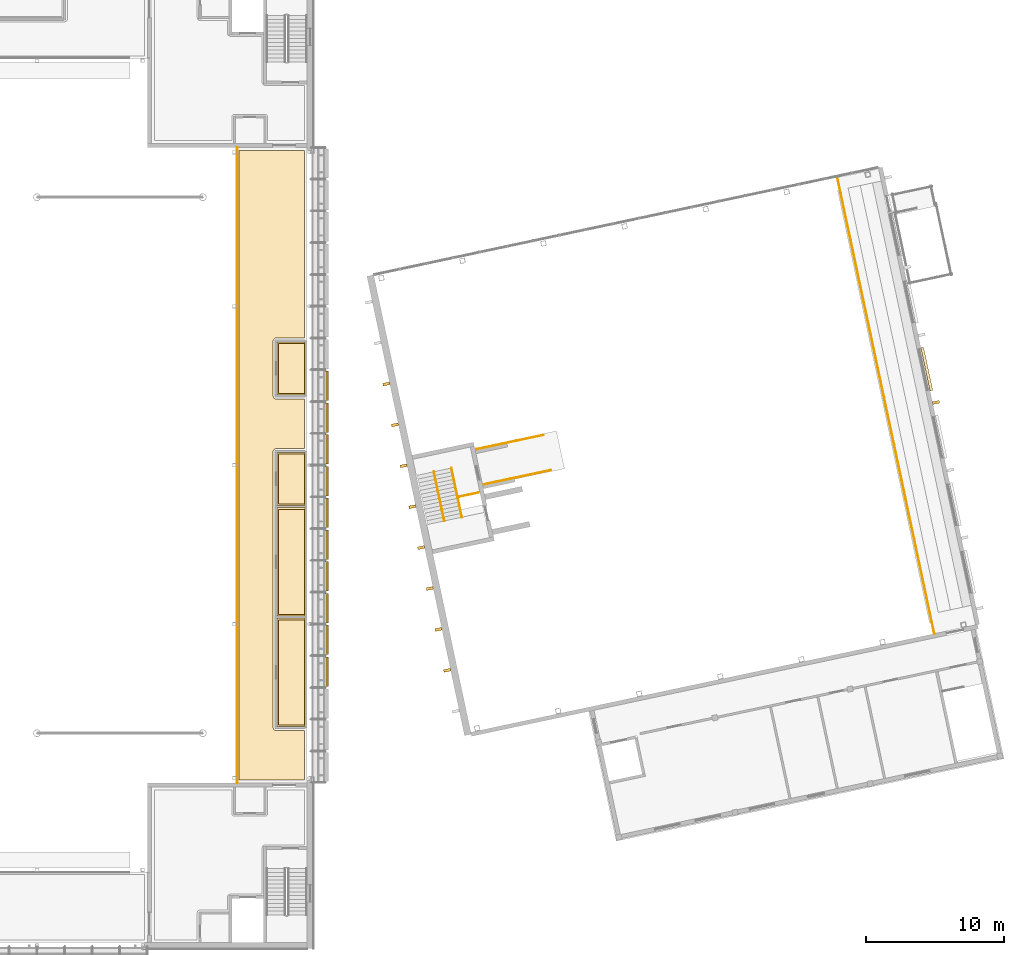
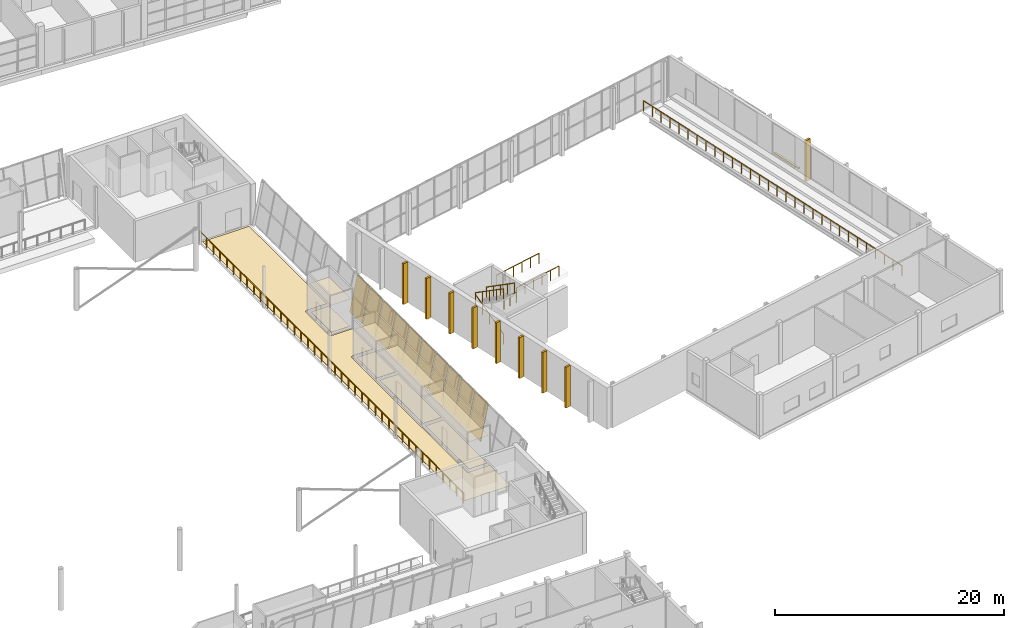
# One storey, part 109 of 115: 19 shading devices, 10 coverings, 8 railings.
"""IFC4 building model written with IfcOpenShell, lengths in metres."""

from ifc_helpers import new_model, si_unit, direction, frame, origin, origin_2d, place, context, subcontext, project, spatial, polyline, circle, outline, extrude, material, layer, layer_set, type_object, element, save


model = new_model("IFC4")

# Units and contexts
model_context = context("Model", 3, precision=1e-05, world=origin(), true_north=direction((0.0, 1.0)))
body_context = subcontext(model_context, "Body", "Model", "MODEL_VIEW")
ifc_project = project(units=[si_unit("LENGTHUNIT", "METRE"), si_unit("AREAUNIT", "SQUARE_METRE"), si_unit("VOLUMEUNIT", "CUBIC_METRE"), si_unit("PLANEANGLEUNIT", "RADIAN"), si_unit("MASSUNIT", "GRAM", prefix="KILO")], contexts=[model_context])

# Site, building, storey
site_placement = place(None, origin())
site = spatial("IfcSite", under=ifc_project, at=site_placement, CompositionType="ELEMENT")
building_placement = place(site_placement, origin())
building = spatial("IfcBuilding", under=site, at=building_placement, Name="Windward Yard Aquatics Centre", CompositionType="ELEMENT")
storey_placement = place(building_placement, frame((0.0, 0.0, 5.0)))
storey = spatial("IfcBuildingStorey", under=building, at=storey_placement, Name="L01", CompositionType="ELEMENT", Elevation=5.0)

# Railings
ifc_material_1 = material(Name="Stainless steel 1.4529", Category="steel")
railing_type_1 = type_object("IfcRailingType", Name="D platform guard 1100", PredefinedType="GUARDRAIL", material=ifc_material_1)
railing_1_placement = place(storey_placement, frame((164.3486328125, 59.609619140625, 2.5)))
element("IfcRailing", 1, at=railing_1_placement, inside=storey, type_object=railing_type_1, Name="D.R.PG3A", PredefinedType="GUARDRAIL", context=body_context, shape_type="SweptSolid", body=[
    extrude(circle(Radius=0.02392578125, at=origin_2d()), frame((0.0, 0.0, 1.076171875), z_axis=(0.978151830709, 0.207891789353, 0.0), x_axis=(-0.207891789353, 0.978151830709, 0.0)), (0.0, 0.0, 1.0), 4.949951171875),
    extrude(circle(Radius=0.02099609375, at=origin_2d()), origin(), (0.0, 0.0, 1.0), 1.052001953125),
    extrude(circle(Radius=0.02099609375, at=origin_2d()), frame((0.96826171875, 0.205810546875, 0.0)), (0.0, 0.0, 1.0), 1.052001953125),
    extrude(circle(Radius=0.02099609375, at=origin_2d()), frame((1.936767578125, 0.41162109375, 0.0)), (0.0, 0.0, 1.0), 1.052001953125),
    extrude(circle(Radius=0.02099609375, at=origin_2d()), frame((2.905029296875, 0.617431640625, 0.0)), (0.0, 0.0, 1.0), 1.052001953125),
    extrude(circle(Radius=0.02099609375, at=origin_2d()), frame((3.87353515625, 0.8232421875, 0.0)), (0.0, 0.0, 1.0), 1.052001953125),
    extrude(circle(Radius=0.02099609375, at=origin_2d()), frame((4.841796875, 1.029052734375, 0.0)), (0.0, 0.0, 1.0), 1.052001953125),
])
railing_2_placement = place(storey_placement, frame((163.80810546875, 62.152587890625, 2.5)))
element("IfcRailing", 2, at=railing_2_placement, inside=storey, type_object=railing_type_1, Name="D.R.PG3B", PredefinedType="GUARDRAIL", context=body_context, shape_type="SweptSolid", body=[
    extrude(circle(Radius=0.02392578125, at=origin_2d()), frame((0.0, 0.0, 1.076171875), z_axis=(0.978141800079, 0.207938978879, 0.0), x_axis=(-0.207938978879, 0.978141800079, 0.0)), (0.0, 0.0, 1.0), 4.949951171875),
    extrude(circle(Radius=0.02099609375, at=origin_2d()), origin(), (0.0, 0.0, 1.0), 1.052001953125),
    extrude(circle(Radius=0.02099609375, at=origin_2d()), frame((0.96826171875, 0.205810546875, 0.0)), (0.0, 0.0, 1.0), 1.052001953125),
    extrude(circle(Radius=0.02099609375, at=origin_2d()), frame((1.936767578125, 0.41162109375, 0.0)), (0.0, 0.0, 1.0), 1.052001953125),
    extrude(circle(Radius=0.02099609375, at=origin_2d()), frame((2.905029296875, 0.61767578125, 0.0)), (0.0, 0.0, 1.0), 1.052001953125),
    extrude(circle(Radius=0.02099609375, at=origin_2d()), frame((3.87353515625, 0.823486328125, 0.0)), (0.0, 0.0, 1.0), 1.052001953125),
    extrude(circle(Radius=0.02099609375, at=origin_2d()), frame((4.841796875, 1.029296875, 0.0)), (0.0, 0.0, 1.0), 1.052001953125),
])
railing_3_placement = place(storey_placement, frame((196.9580078125, 48.80322265625, 0.0)))
element("IfcRailing", 3, at=railing_3_placement, inside=storey, type_object=railing_type_1, Name="D.R.GG", PredefinedType="GUARDRAIL", context=body_context, shape_type="SweptSolid", body=[
    extrude(circle(Radius=0.02392578125, at=origin_2d()), frame((0.0, 0.0, 1.076171875), z_axis=(-0.207913866033, 0.978147138375, 0.0), x_axis=(-0.978147138375, -0.207913866033, 0.0)), (0.0, 0.0, 1.0), 33.75),
    extrude(circle(Radius=0.02099609375, at=origin_2d()), origin(), (0.0, 0.0, 1.0), 1.052001953125),
    extrude(circle(Radius=0.02099609375, at=origin_2d()), frame((-0.241943359375, 1.138427734375, 0.0)), (0.0, 0.0, 1.0), 1.052001953125),
    extrude(circle(Radius=0.02099609375, at=origin_2d()), frame((-0.48388671875, 2.276611328125, 0.0)), (0.0, 0.0, 1.0), 1.052001953125),
    extrude(circle(Radius=0.02099609375, at=origin_2d()), frame((-0.725830078125, 3.4150390625, 0.0)), (0.0, 0.0, 1.0), 1.052001953125),
    extrude(circle(Radius=0.02099609375, at=origin_2d()), frame((-0.9677734375, 4.553466796875, 0.0)), (0.0, 0.0, 1.0), 1.052001953125),
    extrude(circle(Radius=0.02099609375, at=origin_2d()), frame((-1.2099609375, 5.69189453125, 0.0)), (0.0, 0.0, 1.0), 1.052001953125),
    extrude(circle(Radius=0.02099609375, at=origin_2d()), frame((-1.451904296875, 6.830078125, 0.0)), (0.0, 0.0, 1.0), 1.052001953125),
    extrude(circle(Radius=0.02099609375, at=origin_2d()), frame((-1.69384765625, 7.968505859375, 0.0)), (0.0, 0.0, 1.0), 1.052001953125),
    extrude(circle(Radius=0.02099609375, at=origin_2d()), frame((-1.935791015625, 9.10693359375, 0.0)), (0.0, 0.0, 1.0), 1.052001953125),
    extrude(circle(Radius=0.02099609375, at=origin_2d()), frame((-2.177734375, 10.245361328125, 0.0)), (0.0, 0.0, 1.0), 1.052001953125),
    extrude(circle(Radius=0.02099609375, at=origin_2d()), frame((-2.419677734375, 11.383544921875, 0.0)), (0.0, 0.0, 1.0), 1.052001953125),
    extrude(circle(Radius=0.02099609375, at=origin_2d()), frame((-2.66162109375, 12.52197265625, 0.0)), (0.0, 0.0, 1.0), 1.052001953125),
    extrude(circle(Radius=0.02099609375, at=origin_2d()), frame((-2.903564453125, 13.660400390625, 0.0)), (0.0, 0.0, 1.0), 1.052001953125),
    extrude(circle(Radius=0.02099609375, at=origin_2d()), frame((-3.1455078125, 14.798583984375, 0.0)), (0.0, 0.0, 1.0), 1.052001953125),
    extrude(circle(Radius=0.02099609375, at=origin_2d()), frame((-3.387451171875, 15.93701171875, 0.0)), (0.0, 0.0, 1.0), 1.052001953125),
    extrude(circle(Radius=0.02099609375, at=origin_2d()), frame((-3.629638671875, 17.075439453125, 0.0)), (0.0, 0.0, 1.0), 1.052001953125),
    extrude(circle(Radius=0.02099609375, at=origin_2d()), frame((-3.87158203125, 18.2138671875, 0.0)), (0.0, 0.0, 1.0), 1.052001953125),
    extrude(circle(Radius=0.02099609375, at=origin_2d()), frame((-4.113525390625, 19.35205078125, 0.0)), (0.0, 0.0, 1.0), 1.052001953125),
    extrude(circle(Radius=0.02099609375, at=origin_2d()), frame((-4.35546875, 20.490478515625, 0.0)), (0.0, 0.0, 1.0), 1.052001953125),
    extrude(circle(Radius=0.02099609375, at=origin_2d()), frame((-4.597412109375, 21.62890625, 0.0)), (0.0, 0.0, 1.0), 1.052001953125),
    extrude(circle(Radius=0.02099609375, at=origin_2d()), frame((-4.83935546875, 22.76708984375, 0.0)), (0.0, 0.0, 1.0), 1.052001953125),
    extrude(circle(Radius=0.02099609375, at=origin_2d()), frame((-5.081298828125, 23.905517578125, 0.0)), (0.0, 0.0, 1.0), 1.052001953125),
    extrude(circle(Radius=0.02099609375, at=origin_2d()), frame((-5.3232421875, 25.0439453125, 0.0)), (0.0, 0.0, 1.0), 1.052001953125),
    extrude(circle(Radius=0.02099609375, at=origin_2d()), frame((-5.565185546875, 26.182373046875, 0.0)), (0.0, 0.0, 1.0), 1.052001953125),
    extrude(circle(Radius=0.02099609375, at=origin_2d()), frame((-5.80712890625, 27.320556640625, 0.0)), (0.0, 0.0, 1.0), 1.052001953125),
    extrude(circle(Radius=0.02099609375, at=origin_2d()), frame((-6.04931640625, 28.458984375, 0.0)), (0.0, 0.0, 1.0), 1.052001953125),
    extrude(circle(Radius=0.02099609375, at=origin_2d()), frame((-6.291259765625, 29.597412109375, 0.0)), (0.0, 0.0, 1.0), 1.052001953125),
    extrude(circle(Radius=0.02099609375, at=origin_2d()), frame((-6.533203125, 30.73583984375, 0.0)), (0.0, 0.0, 1.0), 1.052001953125),
    extrude(circle(Radius=0.02099609375, at=origin_2d()), frame((-6.775146484375, 31.8740234375, 0.0)), (0.0, 0.0, 1.0), 1.052001953125),
    extrude(circle(Radius=0.02099609375, at=origin_2d()), frame((-7.01708984375, 33.012451171875, 0.0)), (0.0, 0.0, 1.0), 1.052001953125),
])
railing_type_2 = type_object("IfcRailingType", Name="D tower stair guard", PredefinedType="GUARDRAIL", material=ifc_material_1)
railing_4_placement = place(storey_placement, frame((161.485595703125, 56.966552734375, 0.178466796875)))
element("IfcRailing", 4, at=railing_4_placement, inside=storey, type_object=railing_type_2, Name="D.R.TW3.G1", PredefinedType="GUARDRAIL", context=body_context, shape_type="SweptSolid", body=[
    extrude(circle(Radius=0.02392578125, at=origin_2d()), frame((0.0, 0.0, 1.076171875), z_axis=(-0.175252988892, 0.824690008716, 0.537747877177), x_axis=(-0.978157316656, -0.207865975747, 0.0)), (0.0, 0.0, 1.0), 4.317138671875),
    extrude(circle(Radius=0.02099609375, at=origin_2d()), origin(), (0.0, 0.0, 1.0), 1.052001953125),
    extrude(circle(Radius=0.02099609375, at=origin_2d()), frame((-0.189208984375, 0.89013671875, 0.580322265625)), (0.0, 0.0, 1.0), 1.052001953125),
    extrude(circle(Radius=0.02099609375, at=origin_2d()), frame((-0.37841796875, 1.7802734375, 1.16064453125)), (0.0, 0.0, 1.0), 1.052001953125),
    extrude(circle(Radius=0.02099609375, at=origin_2d()), frame((-0.5673828125, 2.670166015625, 1.7412109375)), (0.0, 0.0, 1.0), 1.052001953125),
    extrude(circle(Radius=0.02099609375, at=origin_2d()), frame((-0.756591796875, 3.560302734375, 2.321533203125)), (0.0, 0.0, 1.0), 1.052001953125),
])
for number, where, name in (
    (5, (160.72900390625, 60.52685546875, 2.678466796875), "D.R.TW4.G1"),
    (6, (162.00048828125, 60.797119140625, 2.678466796875), "D.R.TW4.G2"),
):
    element("IfcRailing", number, at=place(storey_placement, frame(where)), inside=storey, type_object=railing_type_2, Name=name, PredefinedType="GUARDRAIL", context=body_context, shape_type="SweptSolid", body=[
        extrude(circle(Radius=0.02392578125, at=origin_2d()), frame((0.0, 0.0, 1.076171875), z_axis=(0.175252988892, -0.824690008716, 0.537747877177), x_axis=(0.978157316656, 0.207865975747, 0.0)), (0.0, 0.0, 1.0), 4.317138671875),
        extrude(circle(Radius=0.02099609375, at=origin_2d()), origin(), (0.0, 0.0, 1.0), 1.052001953125),
        extrude(circle(Radius=0.02099609375, at=origin_2d()), frame((0.189208984375, -0.89013671875, 0.580322265625)), (0.0, 0.0, 1.0), 1.052001953125),
        extrude(circle(Radius=0.02099609375, at=origin_2d()), frame((0.37841796875, -1.7802734375, 1.16064453125)), (0.0, 0.0, 1.0), 1.052001953125),
        extrude(circle(Radius=0.02099609375, at=origin_2d()), frame((0.5673828125, -2.670166015625, 1.7412109375)), (0.0, 0.0, 1.0), 1.052001953125),
        extrude(circle(Radius=0.02099609375, at=origin_2d()), frame((0.756591796875, -3.560302734375, 2.321533203125)), (0.0, 0.0, 1.0), 1.052001953125),
    ])
railing_5_placement = place(storey_placement, frame((162.54541015625, 58.715087890625, 2.5)))
element("IfcRailing", 7, at=railing_5_placement, inside=storey, type_object=railing_type_2, Name="D.R.TW.N7.1", PredefinedType="GUARDRAIL", context=body_context, shape_type="SweptSolid", body=[
    extrude(circle(Radius=0.02392578125, at=origin_2d()), frame((0.0, 0.0, 1.076171875), z_axis=(0.978138732977, 0.207953405961, 0.0), x_axis=(-0.207953405961, 0.978138732977, 0.0)), (0.0, 0.0, 1.0), 1.449951171875),
    extrude(circle(Radius=0.02099609375, at=origin_2d()), origin(), (0.0, 0.0, 1.0), 1.052001953125),
    extrude(circle(Radius=0.02099609375, at=origin_2d()), frame((0.708984375, 0.15087890625, 0.0)), (0.0, 0.0, 1.0), 1.052001953125),
    extrude(circle(Radius=0.02099609375, at=origin_2d()), frame((1.418212890625, 0.301513671875, 0.0)), (0.0, 0.0, 1.0), 1.052001953125),
])

# Shading devices
ifc_material_2 = material(Name="Aluminium fin, powder coated", Category="aluminium")
shading_device_type_1 = type_object("IfcShadingDeviceType", Name="D vertical fin 200x500", PredefinedType="USERDEFINED", material=ifc_material_2)
shading_device_1_placement = place(storey_placement, origin())
element("IfcShadingDevice", 8, at=shading_device_1_placement, inside=storey, type_object=shading_device_type_1, Name="Vertical fin D.W.E.L01.4.1", ObjectType="FIN", PredefinedType="USERDEFINED", context=body_context, shape_type="SweptSolid", body=[
    extrude(outline(polyline([(196.814697265625, 65.590087890625), (197.3037109375, 65.694091796875), (197.34521484375, 65.49853515625), (196.856201171875, 65.39453125), (196.814697265625, 65.590087890625)])), origin(), (0.0, 0.0, 1.0), 4.35009765625),
])
shading_device_2_placement = place(storey_placement, origin())
element("IfcShadingDevice", 9, at=shading_device_2_placement, inside=storey, type_object=shading_device_type_1, Name="Vertical fin D.W.W.L01.1.2", ObjectType="FIN", PredefinedType="USERDEFINED", context=body_context, shape_type="SweptSolid", body=[
    extrude(outline(polyline([(161.4228515625, 46.198974609375), (161.464599609375, 46.00341796875), (161.95361328125, 46.107421875), (161.912109375, 46.302978515625), (161.4228515625, 46.198974609375)])), origin(), (0.0, 0.0, 1.0), 4.35009765625),
])
shading_device_3_placement = place(storey_placement, origin())
element("IfcShadingDevice", 10, at=shading_device_3_placement, inside=storey, type_object=shading_device_type_1, Name="Vertical fin D.W.W.L01.1.3", ObjectType="FIN", PredefinedType="USERDEFINED", context=body_context, shape_type="SweptSolid", body=[
    extrude(outline(polyline([(160.79345703125, 49.16015625), (160.835205078125, 48.964599609375), (161.32421875, 49.068603515625), (161.28271484375, 49.26416015625), (160.79345703125, 49.16015625)])), origin(), (0.0, 0.0, 1.0), 4.35009765625),
])
shading_device_4_placement = place(storey_placement, origin())
element("IfcShadingDevice", 11, at=shading_device_4_placement, inside=storey, type_object=shading_device_type_1, Name="Vertical fin D.W.W.L01.1.4", ObjectType="FIN", PredefinedType="USERDEFINED", context=body_context, shape_type="SweptSolid", body=[
    extrude(outline(polyline([(160.1640625, 52.121337890625), (160.205810546875, 51.925537109375), (160.69482421875, 52.029541015625), (160.6533203125, 52.22509765625), (160.1640625, 52.121337890625)])), origin(), (0.0, 0.0, 1.0), 4.35009765625),
])
shading_device_5_placement = place(storey_placement, origin())
element("IfcShadingDevice", 12, at=shading_device_5_placement, inside=storey, type_object=shading_device_type_1, Name="Vertical fin D.W.W.L01.1.5", ObjectType="FIN", PredefinedType="USERDEFINED", context=body_context, shape_type="SweptSolid", body=[
    extrude(outline(polyline([(159.53466796875, 55.08251953125), (159.576416015625, 54.88671875), (160.0654296875, 54.99072265625), (160.023681640625, 55.186279296875), (159.53466796875, 55.08251953125)])), origin(), (0.0, 0.0, 1.0), 4.35009765625),
])
shading_device_6_placement = place(storey_placement, origin())
element("IfcShadingDevice", 13, at=shading_device_6_placement, inside=storey, type_object=shading_device_type_1, Name="Vertical fin D.W.W.L01.1.6", ObjectType="FIN", PredefinedType="USERDEFINED", context=body_context, shape_type="SweptSolid", body=[
    extrude(outline(polyline([(158.9052734375, 58.04345703125), (158.947021484375, 57.847900390625), (159.43603515625, 57.951904296875), (159.394287109375, 58.1474609375), (158.9052734375, 58.04345703125)])), origin(), (0.0, 0.0, 1.0), 4.35009765625),
])
shading_device_7_placement = place(storey_placement, origin())
element("IfcShadingDevice", 14, at=shading_device_7_placement, inside=storey, type_object=shading_device_type_1, Name="Vertical fin D.W.W.L01.1.7", ObjectType="FIN", PredefinedType="USERDEFINED", context=body_context, shape_type="SweptSolid", body=[
    extrude(outline(polyline([(158.27587890625, 61.004638671875), (158.3173828125, 60.80908203125), (158.806396484375, 60.9130859375), (158.764892578125, 61.108642578125), (158.27587890625, 61.004638671875)])), origin(), (0.0, 0.0, 1.0), 4.35009765625),
])
shading_device_8_placement = place(storey_placement, origin())
element("IfcShadingDevice", 15, at=shading_device_8_placement, inside=storey, type_object=shading_device_type_1, Name="Vertical fin D.W.W.L01.1.8", ObjectType="FIN", PredefinedType="USERDEFINED", context=body_context, shape_type="SweptSolid", body=[
    extrude(outline(polyline([(157.646484375, 63.9658203125), (157.68798828125, 63.770263671875), (158.177001953125, 63.8740234375), (158.135498046875, 64.069580078125), (157.646484375, 63.9658203125)])), origin(), (0.0, 0.0, 1.0), 4.35009765625),
])
shading_device_9_placement = place(storey_placement, origin())
element("IfcShadingDevice", 16, at=shading_device_9_placement, inside=storey, type_object=shading_device_type_1, Name="Vertical fin D.W.W.L01.1.9", ObjectType="FIN", PredefinedType="USERDEFINED", context=body_context, shape_type="SweptSolid", body=[
    extrude(outline(polyline([(157.01708984375, 66.927001953125), (157.05859375, 66.731201171875), (157.547607421875, 66.835205078125), (157.506103515625, 67.031005859375), (157.01708984375, 66.927001953125)])), origin(), (0.0, 0.0, 1.0), 4.35009765625),
])

# Coverings
ifc_material_3 = material(Name="Limestone sill", Category="masonry")
ifc_layer_1 = layer(ifc_material_3, 0.080078125)
ifc_layer_set_1 = layer_set([ifc_layer_1], Name="D window sill stone 3200x200")
covering_type_1 = type_object("IfcCoveringType", Name="D window sill stone 3200x200", PredefinedType="CLADDING", material=ifc_layer_set_1)
covering_1_placement = place(storey_placement, frame((0.0, 0.0, 0.820068359375)))
element("IfcCovering", 17, at=covering_1_placement, inside=storey, type_object=covering_type_1, Name="Window sill DW1004", PredefinedType="CLADDING", context=body_context, shape_type="SweptSolid", body=[
    extrude(outline(polyline([(195.98291015625, 69.502685546875), (196.1787109375, 69.54443359375), (196.843994140625, 66.414306640625), (196.648193359375, 66.372802734375), (195.98291015625, 69.502685546875)])), origin(), (0.0, 0.0, 1.0), 0.079833984375),
])
ifc_material_4 = material(Name="Polished screed")
ifc_layer_2 = layer(ifc_material_4, 0.0400390625)
ifc_layer_set_2 = layer_set([ifc_layer_2], Name="H Floor Finish Screed 40")
covering_type_2 = type_object("IfcCoveringType", Name="H Floor Finish Screed 40", PredefinedType="FLOORING", material=ifc_layer_set_2)
covering_2_placement = place(storey_placement, origin())
element("IfcCovering", 18, at=covering_2_placement, inside=storey, type_object=covering_type_2, Name="Cleaner's Store floor finish", PredefinedType="FLOORING", context=body_context, shape_type="SweptSolid", body=[
    extrude(outline(polyline([(149.5, 66.199951171875), (149.5, 69.800048828125), (151.35009765625, 69.800048828125), (151.35009765625, 66.199951171875), (149.5, 66.199951171875)])), origin(), (0.0, 0.0, 1.0), 0.02001953125),
])
covering_3_placement = place(storey_placement, origin())
element("IfcCovering", 19, at=covering_3_placement, inside=storey, type_object=covering_type_2, Name="Gable Concourse East floor finish", PredefinedType="FLOORING", context=body_context, shape_type="SweptSolid", body=[
    extrude(outline(polyline([(146.640380859375, 38.199951171875), (146.640380859375, 83.800048828125), (151.35009765625, 83.800048828125), (151.35009765625, 70.199951171875), (149.280517578125, 70.198974609375), (149.241943359375, 70.19140625), (149.223388671875, 70.184814453125), (149.18896484375, 70.166259765625), (149.15869140625, 70.141357421875), (149.1337890625, 70.111083984375), (149.115234375, 70.076416015625), (149.103759765625, 70.0390625), (149.10009765625, 70.0), (149.10009765625, 66.0), (149.10107421875, 65.98046875), (149.108642578125, 65.94189453125), (149.12353515625, 65.90576171875), (149.1337890625, 65.888916015625), (149.15869140625, 65.858642578125), (149.18896484375, 65.833740234375), (149.223388671875, 65.815185546875), (149.241943359375, 65.80859375), (149.280517578125, 65.801025390625), (149.300048828125, 65.800048828125), (151.35009765625, 65.800048828125), (151.35009765625, 62.199951171875), (149.280517578125, 62.198974609375), (149.241943359375, 62.19140625), (149.223388671875, 62.184814453125), (149.18896484375, 62.166259765625), (149.15869140625, 62.141357421875), (149.1337890625, 62.111083984375), (149.115234375, 62.076416015625), (149.108642578125, 62.05810546875), (149.10107421875, 62.01953125), (149.10107421875, 41.98046875), (149.108642578125, 41.94189453125), (149.115234375, 41.923583984375), (149.1337890625, 41.888916015625), (149.15869140625, 41.858642578125), (149.18896484375, 41.833740234375), (149.223388671875, 41.815185546875), (149.241943359375, 41.80859375), (149.280517578125, 41.801025390625), (151.35009765625, 41.800048828125), (151.35009765625, 38.199951171875), (146.640380859375, 38.199951171875)])), origin(), (0.0, 0.0, 1.0), 0.02001953125),
])
ifc_material_5 = material(Name="Ceramic tile")
ifc_layer_3 = layer(ifc_material_5, 0.02001953125)
ifc_layer_set_3 = layer_set([ifc_layer_3], Name="H Floor Finish Tile 20")
covering_type_3 = type_object("IfcCoveringType", Name="H Floor Finish Tile 20", PredefinedType="FLOORING", material=ifc_layer_set_3)
covering_4_placement = place(storey_placement, origin())
element("IfcCovering", 20, at=covering_4_placement, inside=storey, type_object=covering_type_3, Name="Spectator WC Men floor finish", PredefinedType="FLOORING", context=body_context, shape_type="SweptSolid", body=[
    extrude(outline(polyline([(149.5, 42.199951171875), (149.5, 49.800048828125), (151.35009765625, 49.800048828125), (151.35009765625, 42.199951171875), (149.5, 42.199951171875)])), origin(), (0.0, 0.0, 1.0), 0.02001953125),
])
covering_5_placement = place(storey_placement, origin())
element("IfcCovering", 21, at=covering_5_placement, inside=storey, type_object=covering_type_3, Name="Spectator WC Women floor finish", PredefinedType="FLOORING", context=body_context, shape_type="SweptSolid", body=[
    extrude(outline(polyline([(149.5, 50.199951171875), (149.5, 57.800048828125), (151.35009765625, 57.800048828125), (151.35009765625, 50.199951171875), (149.5, 50.199951171875)])), origin(), (0.0, 0.0, 1.0), 0.02001953125),
])
covering_6_placement = place(storey_placement, origin())
element("IfcCovering", 22, at=covering_6_placement, inside=storey, type_object=covering_type_3, Name="Accessible WC floor finish", PredefinedType="FLOORING", context=body_context, shape_type="SweptSolid", body=[
    extrude(outline(polyline([(149.5, 58.199951171875), (149.5, 61.800048828125), (151.35009765625, 61.800048828125), (151.35009765625, 58.199951171875), (149.5, 58.199951171875)])), origin(), (0.0, 0.0, 1.0), 0.02001953125),
])

# Railing
railing_type_3 = type_object("IfcRailingType", Name="H Guard Steel 1100", PredefinedType="GUARDRAIL", material=ifc_material_1)
railing_6_placement = place(storey_placement, frame((146.490478515625, 38.0, 0.0)))
element("IfcRailing", 23, at=railing_6_placement, inside=storey, type_object=railing_type_3, Name="Gable concourse edge guard E", PredefinedType="GUARDRAIL", context=body_context, shape_type="SweptSolid", body=[
    extrude(circle(Radius=0.02392578125, at=origin_2d()), frame((0.0, 0.0, 1.076171875), z_axis=(0.0, 1.0, 0.0), x_axis=(-1.0, 0.0, 0.0)), (0.0, 0.0, 1.0), 46.0),
    extrude(circle(Radius=0.02099609375, at=origin_2d()), origin(), (0.0, 0.0, 1.0), 1.052001953125),
    extrude(circle(Radius=0.02099609375, at=origin_2d()), frame((0.0, 1.179443359375, 0.0)), (0.0, 0.0, 1.0), 1.052001953125),
    extrude(circle(Radius=0.02099609375, at=origin_2d()), frame((0.0, 2.35888671875, 0.0)), (0.0, 0.0, 1.0), 1.052001953125),
    extrude(circle(Radius=0.02099609375, at=origin_2d()), frame((0.0, 3.53857421875, 0.0)), (0.0, 0.0, 1.0), 1.052001953125),
    extrude(circle(Radius=0.02099609375, at=origin_2d()), frame((0.0, 4.718017578125, 0.0)), (0.0, 0.0, 1.0), 1.052001953125),
    extrude(circle(Radius=0.02099609375, at=origin_2d()), frame((0.0, 5.8974609375, 0.0)), (0.0, 0.0, 1.0), 1.052001953125),
    extrude(circle(Radius=0.02099609375, at=origin_2d()), frame((0.0, 7.076904296875, 0.0)), (0.0, 0.0, 1.0), 1.052001953125),
    extrude(circle(Radius=0.02099609375, at=origin_2d()), frame((0.0, 8.25634765625, 0.0)), (0.0, 0.0, 1.0), 1.052001953125),
    extrude(circle(Radius=0.02099609375, at=origin_2d()), frame((0.0, 9.435791015625, 0.0)), (0.0, 0.0, 1.0), 1.052001953125),
    extrude(circle(Radius=0.02099609375, at=origin_2d()), frame((0.0, 10.615478515625, 0.0)), (0.0, 0.0, 1.0), 1.052001953125),
    extrude(circle(Radius=0.02099609375, at=origin_2d()), frame((0.0, 11.794921875, 0.0)), (0.0, 0.0, 1.0), 1.052001953125),
    extrude(circle(Radius=0.02099609375, at=origin_2d()), frame((0.0, 12.974365234375, 0.0)), (0.0, 0.0, 1.0), 1.052001953125),
    extrude(circle(Radius=0.02099609375, at=origin_2d()), frame((0.0, 14.15380859375, 0.0)), (0.0, 0.0, 1.0), 1.052001953125),
    extrude(circle(Radius=0.02099609375, at=origin_2d()), frame((0.0, 15.333251953125, 0.0)), (0.0, 0.0, 1.0), 1.052001953125),
    extrude(circle(Radius=0.02099609375, at=origin_2d()), frame((0.0, 16.512939453125, 0.0)), (0.0, 0.0, 1.0), 1.052001953125),
    extrude(circle(Radius=0.02099609375, at=origin_2d()), frame((0.0, 17.6923828125, 0.0)), (0.0, 0.0, 1.0), 1.052001953125),
    extrude(circle(Radius=0.02099609375, at=origin_2d()), frame((0.0, 18.871826171875, 0.0)), (0.0, 0.0, 1.0), 1.052001953125),
    extrude(circle(Radius=0.02099609375, at=origin_2d()), frame((0.0, 20.05126953125, 0.0)), (0.0, 0.0, 1.0), 1.052001953125),
    extrude(circle(Radius=0.02099609375, at=origin_2d()), frame((0.0, 21.230712890625, 0.0)), (0.0, 0.0, 1.0), 1.052001953125),
    extrude(circle(Radius=0.02099609375, at=origin_2d()), frame((0.0, 22.41015625, 0.0)), (0.0, 0.0, 1.0), 1.052001953125),
    extrude(circle(Radius=0.02099609375, at=origin_2d()), frame((0.0, 23.58984375, 0.0)), (0.0, 0.0, 1.0), 1.052001953125),
    extrude(circle(Radius=0.02099609375, at=origin_2d()), frame((0.0, 24.769287109375, 0.0)), (0.0, 0.0, 1.0), 1.052001953125),
    extrude(circle(Radius=0.02099609375, at=origin_2d()), frame((0.0, 25.94873046875, 0.0)), (0.0, 0.0, 1.0), 1.052001953125),
    extrude(circle(Radius=0.02099609375, at=origin_2d()), frame((0.0, 27.128173828125, 0.0)), (0.0, 0.0, 1.0), 1.052001953125),
    extrude(circle(Radius=0.02099609375, at=origin_2d()), frame((0.0, 28.3076171875, 0.0)), (0.0, 0.0, 1.0), 1.052001953125),
    extrude(circle(Radius=0.02099609375, at=origin_2d()), frame((0.0, 29.487060546875, 0.0)), (0.0, 0.0, 1.0), 1.052001953125),
    extrude(circle(Radius=0.02099609375, at=origin_2d()), frame((0.0, 30.666748046875, 0.0)), (0.0, 0.0, 1.0), 1.052001953125),
    extrude(circle(Radius=0.02099609375, at=origin_2d()), frame((0.0, 31.84619140625, 0.0)), (0.0, 0.0, 1.0), 1.052001953125),
    extrude(circle(Radius=0.02099609375, at=origin_2d()), frame((0.0, 33.025634765625, 0.0)), (0.0, 0.0, 1.0), 1.052001953125),
    extrude(circle(Radius=0.02099609375, at=origin_2d()), frame((0.0, 34.205078125, 0.0)), (0.0, 0.0, 1.0), 1.052001953125),
    extrude(circle(Radius=0.02099609375, at=origin_2d()), frame((0.0, 35.384521484375, 0.0)), (0.0, 0.0, 1.0), 1.052001953125),
    extrude(circle(Radius=0.02099609375, at=origin_2d()), frame((0.0, 36.564208984375, 0.0)), (0.0, 0.0, 1.0), 1.052001953125),
    extrude(circle(Radius=0.02099609375, at=origin_2d()), frame((0.0, 37.74365234375, 0.0)), (0.0, 0.0, 1.0), 1.052001953125),
    extrude(circle(Radius=0.02099609375, at=origin_2d()), frame((0.0, 38.923095703125, 0.0)), (0.0, 0.0, 1.0), 1.052001953125),
    extrude(circle(Radius=0.02099609375, at=origin_2d()), frame((0.0, 40.1025390625, 0.0)), (0.0, 0.0, 1.0), 1.052001953125),
    extrude(circle(Radius=0.02099609375, at=origin_2d()), frame((0.0, 41.281982421875, 0.0)), (0.0, 0.0, 1.0), 1.052001953125),
    extrude(circle(Radius=0.02099609375, at=origin_2d()), frame((0.0, 42.46142578125, 0.0)), (0.0, 0.0, 1.0), 1.052001953125),
    extrude(circle(Radius=0.02099609375, at=origin_2d()), frame((0.0, 43.64111328125, 0.0)), (0.0, 0.0, 1.0), 1.052001953125),
    extrude(circle(Radius=0.02099609375, at=origin_2d()), frame((0.0, 44.820556640625, 0.0)), (0.0, 0.0, 1.0), 1.052001953125),
    extrude(circle(Radius=0.02099609375, at=origin_2d()), frame((0.0, 46.0, 0.0)), (0.0, 0.0, 1.0), 1.052001953125),
])

# Coverings
ifc_material_6 = material(Name="Aluminium plank", Category="aluminium")
ifc_layer_4 = layer(ifc_material_6, 0.02001953125)
ifc_layer_set_4 = layer_set([ifc_layer_4], Name="H Moisture Resistant Ceiling")
covering_type_4 = type_object("IfcCoveringType", Name="H Moisture Resistant Ceiling", PredefinedType="CEILING", material=ifc_layer_set_4)
covering_7_placement = place(storey_placement, frame((0.0, 0.0, 3.0)))
element("IfcCovering", 24, at=covering_7_placement, inside=storey, type_object=covering_type_4, Name="Spectator WC Men ceiling", PredefinedType="CEILING", context=body_context, shape_type="SweptSolid", body=[
    extrude(outline(polyline([(149.37548828125, 42.075439453125), (149.37548828125, 49.924560546875), (151.3994140625, 49.924560546875), (151.3994140625, 42.075439453125), (149.37548828125, 42.075439453125)])), origin(), (0.0, 0.0, 1.0), 0.02001953125),
])
covering_8_placement = place(storey_placement, frame((0.0, 0.0, 3.0)))
element("IfcCovering", 25, at=covering_8_placement, inside=storey, type_object=covering_type_4, Name="Spectator WC Women ceiling", PredefinedType="CEILING", context=body_context, shape_type="SweptSolid", body=[
    extrude(outline(polyline([(149.37548828125, 50.075439453125), (149.37548828125, 57.924560546875), (151.3994140625, 57.924560546875), (151.3994140625, 50.075439453125), (149.37548828125, 50.075439453125)])), origin(), (0.0, 0.0, 1.0), 0.02001953125),
])
covering_9_placement = place(storey_placement, frame((0.0, 0.0, 3.0)))
element("IfcCovering", 26, at=covering_9_placement, inside=storey, type_object=covering_type_4, Name="Accessible WC ceiling", PredefinedType="CEILING", context=body_context, shape_type="SweptSolid", body=[
    extrude(outline(polyline([(149.37548828125, 58.075439453125), (149.37548828125, 61.924560546875), (151.3994140625, 61.924560546875), (151.3994140625, 58.075439453125), (149.37548828125, 58.075439453125)])), origin(), (0.0, 0.0, 1.0), 0.02001953125),
])
ifc_material_7 = material(Name="Mineral fibre tile")
ifc_layer_5 = layer(ifc_material_7, 0.02001953125)
ifc_layer_set_5 = layer_set([ifc_layer_5], Name="H Suspended Ceiling 600 x 600")
covering_type_5 = type_object("IfcCoveringType", Name="H Suspended Ceiling 600 x 600", PredefinedType="CEILING", material=ifc_layer_set_5)
covering_10_placement = place(storey_placement, frame((0.0, 0.0, 3.0)))
element("IfcCovering", 27, at=covering_10_placement, inside=storey, type_object=covering_type_5, Name="Cleaner's Store ceiling", PredefinedType="CEILING", context=body_context, shape_type="SweptSolid", body=[
    extrude(outline(polyline([(149.37548828125, 66.075439453125), (149.37548828125, 69.924560546875), (151.3994140625, 69.924560546875), (151.3994140625, 66.075439453125), (149.37548828125, 66.075439453125)])), origin(), (0.0, 0.0, 1.0), 0.02001953125),
])

# Shading devices
ifc_material_8 = material(Name="Aluminium extruded louvre blades, powder coated", Category="aluminium")
ifc_layer_6 = layer(ifc_material_8, 0.080078125)
ifc_layer_set_6 = layer_set([ifc_layer_6], Name="H storm louvre shutter 2103x3790")
shading_device_type_2 = type_object("IfcShadingDeviceType", Name="H storm louvre shutter 2103x3790", PredefinedType="SHUTTER", material=ifc_layer_set_6)
for number, where, z_axis, x_axis, name in (
    (28, (152.2548828125, 44.982421875, 0.28662109375), (-0.979926212575, 0.0, 0.199360522443), (0.0, 1.0, 0.0), "Storm louvre E L01 A4"),
    (29, (152.2548828125, 47.282470703125, 0.28662109375), (-0.979926212575, 0.0, 0.199360522443), (0.0, 1.0, 0.0), "Storm louvre E L01 A5"),
    (30, (152.2548828125, 49.58251953125, 0.28662109375), (-0.979926212575, 0.0, 0.199360522443), (0.0, 1.0, 0.0), "Storm louvre E L01 A6"),
    (31, (152.2548828125, 51.882568359375, 0.28662109375), (-0.979926212575, 0.0, 0.199360522443), (0.0, 1.0, 0.0), "Storm louvre E L01 A7"),
):
    element("IfcShadingDevice", number, at=place(storey_placement, frame(where, z_axis=z_axis, x_axis=x_axis)), inside=storey, type_object=shading_device_type_2, Name=name, PredefinedType="SHUTTER", context=body_context, shape_type="SweptSolid", body=[
        extrude(outline(polyline([(0.0, 0.0), (2.13501, 0.0), (2.13501, -3.790195), (0.0, -3.790195), (0.0, 0.0)])), origin(), (0.0, 0.0, -1.0), 0.080078125),
    ])
shading_device_10_placement = place(storey_placement, frame((152.2548828125, 54.1826171875, 0.28662109375), z_axis=(-0.979926212575, 0.0, 0.199360522443), x_axis=(0.0, 1.0, 0.0)))
element("IfcShadingDevice", 32, at=shading_device_10_placement, inside=storey, type_object=shading_device_type_2, Name="Storm louvre E L01 A8", PredefinedType="SHUTTER", context=body_context, shape_type="SweptSolid", body=[
    extrude(outline(polyline([(0.0, 0.0), (2.134766, 0.0), (2.134766, -3.790195), (0.0, -3.790195), (0.0, 0.0)])), origin(), (0.0, 0.0, -1.0), 0.080078125),
])
for number, where, z_axis, x_axis, name in (
    (33, (152.2548828125, 56.482421875, 0.28662109375), (-0.979926212575, 0.0, 0.199360522443), (0.0, 1.0, 0.0), "Storm louvre E L01 A9"),
    (34, (152.2548828125, 58.782470703125, 0.28662109375), (-0.979926212575, 0.0, 0.199360522443), (0.0, 1.0, 0.0), "Storm louvre E L01 A10"),
    (35, (152.2548828125, 61.08251953125, 0.28662109375), (-0.979926212575, 0.0, 0.199360522443), (0.0, 1.0, 0.0), "Storm louvre E L01 A11"),
    (36, (152.2548828125, 63.382568359375, 0.28662109375), (-0.979926212575, 0.0, 0.199360522443), (0.0, 1.0, 0.0), "Storm louvre E L01 A12"),
):
    element("IfcShadingDevice", number, at=place(storey_placement, frame(where, z_axis=z_axis, x_axis=x_axis)), inside=storey, type_object=shading_device_type_2, Name=name, PredefinedType="SHUTTER", context=body_context, shape_type="SweptSolid", body=[
        extrude(outline(polyline([(0.0, 0.0), (2.13501, 0.0), (2.13501, -3.790195), (0.0, -3.790195), (0.0, 0.0)])), origin(), (0.0, 0.0, -1.0), 0.080078125),
    ])
shading_device_11_placement = place(storey_placement, frame((152.2548828125, 65.6826171875, 0.28662109375), z_axis=(-0.979926212575, 0.0, 0.199360522443), x_axis=(0.0, 1.0, 0.0)))
element("IfcShadingDevice", 37, at=shading_device_11_placement, inside=storey, type_object=shading_device_type_2, Name="Storm louvre E L01 A13", PredefinedType="SHUTTER", context=body_context, shape_type="SweptSolid", body=[
    extrude(outline(polyline([(0.0, 0.0), (2.134766, 0.0), (2.134766, -3.790195), (0.0, -3.790195), (0.0, 0.0)])), origin(), (0.0, 0.0, -1.0), 0.080078125),
])

save(model, "model.ifc")
